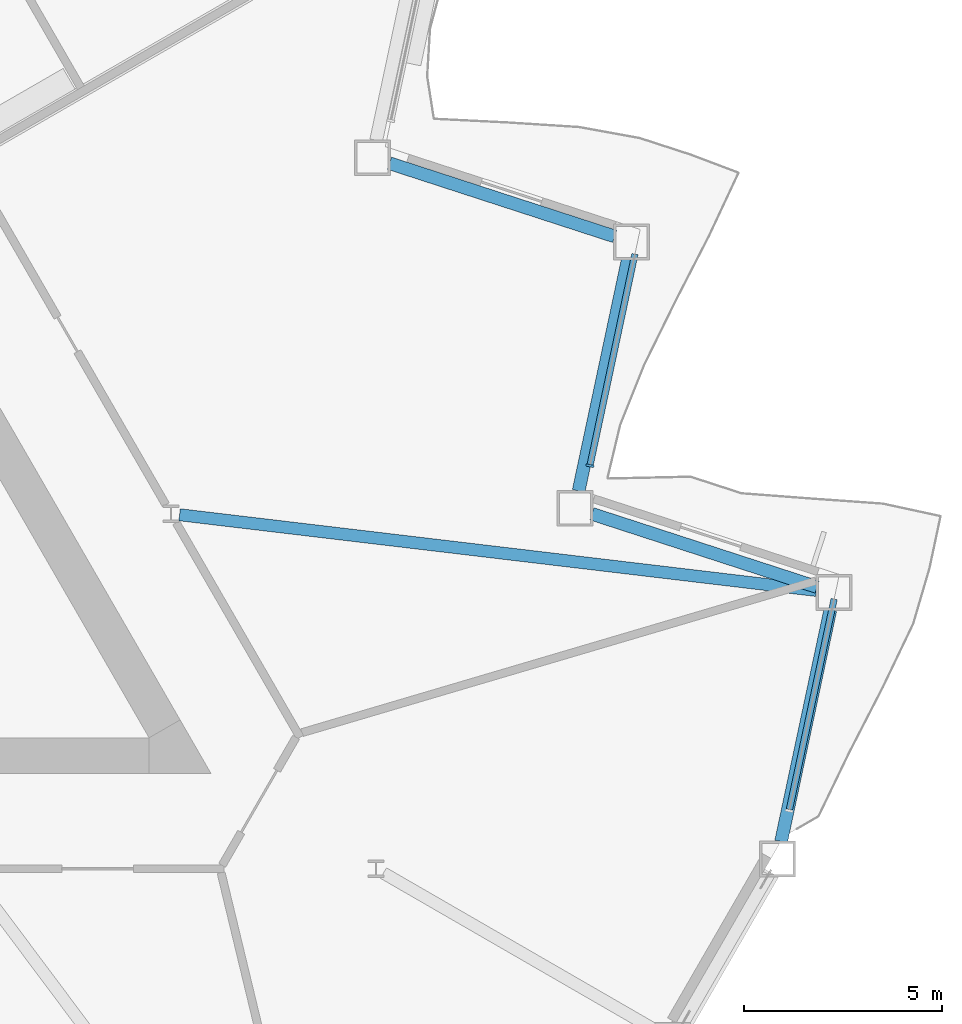
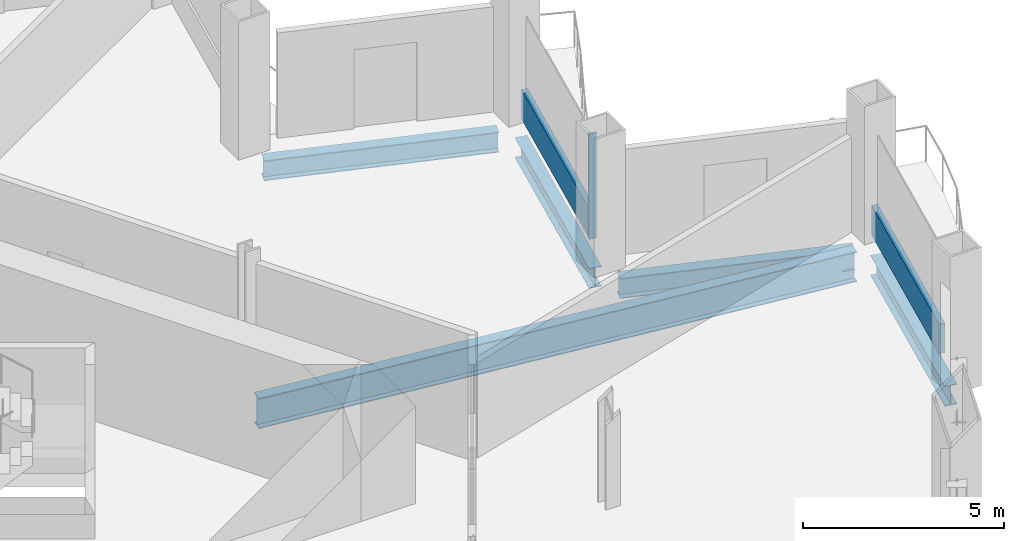
# One storey, part 6 of 21: 5 beams, 3 members, 2 elements without a shape of their own.
"""IFC4 building model written with IfcOpenShell, lengths in metres."""

from ifc_helpers import new_model, si_unit, direction, frame, origin, origin_2d, place, context, subcontext, project, spatial, rectangle, i_section, extrude, material, layer, layer_set, material_profile, profile_set, type_object, element, aggregate, save


model = new_model("IFC4")

# Units and contexts
model_context = context("Model", 3, precision=1e-05, world=origin(), true_north=direction((0.0, 1.0)))
body_context = subcontext(model_context, "Body", "Model", "MODEL_VIEW")
ifc_project = project(units=[si_unit("LENGTHUNIT", "METRE"), si_unit("AREAUNIT", "SQUARE_METRE"), si_unit("VOLUMEUNIT", "CUBIC_METRE"), si_unit("PLANEANGLEUNIT", "RADIAN"), si_unit("MASSUNIT", "GRAM", prefix="KILO")], contexts=[model_context])

# Site, building, storey
site_placement = place(None, origin())
site = spatial("IfcSite", under=ifc_project, at=site_placement, CompositionType="ELEMENT")
building_placement = place(site_placement, origin())
building = spatial("IfcBuilding", under=site, at=building_placement, Name="Cormorant Prow Tower", CompositionType="ELEMENT")
storey_placement = place(building_placement, frame((0.0, 0.0, 116.39990234375)))
storey = spatial("IfcBuildingStorey", under=building, at=storey_placement, Name="L24", CompositionType="ELEMENT", Elevation=116.39990234375)

# Curtain wall, member
ifc_material_1 = material(Name="Aluminium 6063-T6", Category="aluminium")
ifc_layer = layer(ifc_material_1, 0.199951171875)
ifc_layer_set = layer_set([ifc_layer], Name="Aluminium 6063-T6")
curtain_wall_type = type_object("IfcCurtainWallType", Name="Office unitised curtain wall 200", PredefinedType="NOTDEFINED", material=ifc_layer_set)
curtain_wall_1_placement = place(storey_placement, origin())
curtain_wall_1 = element("IfcCurtainWall", 1, at=curtain_wall_1_placement, inside=storey, type_object=curtain_wall_type, Name="Office curtain wall ENE02", PredefinedType="NOTDEFINED")
ifc_material_2 = material(Name="Aluminium 6063-T6", Category="aluminium")
ifc_material_profile_1 = material_profile(ifc_material_2, rectangle(XDim=0.199951171875, YDim=0.06005859375, at=origin_2d()), Name="Office mullion 60x200")
ifc_profile_set_1 = profile_set([ifc_material_profile_1], Name="Aluminium 6063-T6")
member_type_1 = type_object("IfcMemberType", Name="Office mullion 60x200", PredefinedType="MULLION", material=ifc_profile_set_1)
member_1_placement = place(storey_placement, frame((26.04736328125, -1.77294921875, 0.0), z_axis=(0.0, 0.0, 1.0), x_axis=(-0.978147610002, 0.207911647216, 0.0)))
member_1 = element("IfcMember", 2, at=member_1_placement, type_object=member_type_1, Name="Office mullion ENE02", PredefinedType="MULLION", context=body_context, shape_type="SweptSolid", body=[
    extrude(rectangle(XDim=0.199951171875, YDim=0.06005859375, at=origin_2d()), origin(), (0.0, 0.0, 1.0), 3.18896484375),
])

curtain_wall_2_placement = place(storey_placement, origin())
curtain_wall_2 = element("IfcCurtainWall", 3, at=curtain_wall_2_placement, inside=storey, type_object=curtain_wall_type, Name="Office curtain wall ENE00", PredefinedType="NOTDEFINED")
ifc_material_3 = material(Name="Terracotta", Category="masonry")
ifc_material_profile_2 = material_profile(ifc_material_3, rectangle(XDim=0.159912109375, YDim=0.89990234375, at=origin_2d()), Name="Office terracotta spandrel rail 160x900")
ifc_profile_set_2 = profile_set([ifc_material_profile_2], Name="Terracotta")
member_type_2 = type_object("IfcMemberType", Name="Office terracotta spandrel rail 160x900", PredefinedType="USERDEFINED", material=ifc_profile_set_2)
member_2_placement = place(storey_placement, frame((31.071533203125, -10.435302734375, 0.4501953125), z_axis=(0.207907775763, 0.978148432896, 0.0), x_axis=(-0.978148432896, 0.207907775763, 0.0)))
member_2 = element("IfcMember", 4, at=member_2_placement, type_object=member_type_2, Name="Office spandrel rail ENE00", ObjectType="TRANSOM", PredefinedType="USERDEFINED", context=body_context, shape_type="SweptSolid", body=[
    extrude(rectangle(XDim=0.159912109375, YDim=0.89990234375, at=origin_2d()), origin(), (0.0, 0.0, 1.0), 5.42041015625),
])
aggregate(curtain_wall_2, [member_2])

# Member
member_3_placement = place(storey_placement, frame((26.053466796875, -1.74365234375, 0.4501953125), z_axis=(0.207907775763, 0.978148432896, 0.0), x_axis=(-0.978148432896, 0.207907775763, 0.0)))
member_3 = element("IfcMember", 5, at=member_3_placement, type_object=member_type_2, Name="Office spandrel rail ENE02", ObjectType="TRANSOM", PredefinedType="USERDEFINED", context=body_context, shape_type="SweptSolid", body=[
    extrude(rectangle(XDim=0.159912109375, YDim=0.89990234375, at=origin_2d()), origin(), (0.0, 0.0, 1.0), 5.42041015625),
])

aggregate(curtain_wall_1, [member_1, member_3])

# Beams
ifc_material_4 = material(Name="Structural steel ASTM A992 Gr 50", Category="steel")
ifc_material_profile_3 = material_profile(ifc_material_4, i_section(OverallWidth=0.3046875, OverallDepth=0.914794921875, WebThickness=0.0166015625, FlangeThickness=0.02587890625, at=origin_2d()), Name="W36x160")
ifc_profile_set_3 = profile_set([ifc_material_profile_3], Name="Structural steel ASTM A992 Gr 50")
beam_type_1 = type_object("IfcBeamType", Name="Radial floor beam W36x160", PredefinedType="BEAM", material=ifc_profile_set_3)
beam_1_placement = place(storey_placement, frame((15.70849609375, -3.00732421875, -0.857177734375), z_axis=(0.993009167646, -0.118037252474, 0.0), x_axis=(0.118037252474, 0.993009167646, 0.0)))
element("IfcBeam", 6, at=beam_1_placement, inside=storey, type_object=beam_type_1, Name="Radial floor beam FB1 10 L24", PredefinedType="BEAM", context=body_context, shape_type="SweptSolid", body=[
    extrude(i_section(OverallWidth=0.3046875, OverallDepth=0.914794921875, WebThickness=0.0166015625, FlangeThickness=0.02587890625, at=origin_2d()), origin(), (0.0, 0.0, 1.0), 16.15380859375),
])
ifc_material_5 = material(Name="Structural steel ASTM A992 Gr 50", Category="steel")
ifc_material_profile_4 = material_profile(ifc_material_5, i_section(OverallWidth=0.32373046875, OverallDepth=0.611083984375, WebThickness=0.0126953125, FlangeThickness=0.01904296875, at=origin_2d()), Name="W24x104")
ifc_profile_set_4 = profile_set([ifc_material_profile_4], Name="Structural steel ASTM A992 Gr 50")
beam_type_2 = type_object("IfcBeamType", Name="Spandrel beam W24x104", PredefinedType="SPANDREL", material=ifc_profile_set_4)
beam_2_placement = place(storey_placement, frame((30.86279296875, -11.23974609375, -0.70556640625), z_axis=(0.207912620873, 0.978147403044, 0.0), x_axis=(-0.978147403044, 0.207912620873, 0.0)))
element("IfcBeam", 7, at=beam_2_placement, inside=storey, type_object=beam_type_2, Name="Spandrel beam SB1 ENE00-ENE01 L24", PredefinedType="SPANDREL", context=body_context, shape_type="SweptSolid", body=[
    extrude(i_section(OverallWidth=0.32373046875, OverallDepth=0.611083984375, WebThickness=0.0126953125, FlangeThickness=0.01904296875, at=origin_2d()), origin(), (0.0, 0.0, 1.0), 5.962890625),
])
for number, where, z_axis, x_axis, name in (
    (8, (31.768310546875, -4.828125, -0.70556640625), (-0.951059340519, 0.309008302174, 0.0), (-0.309008302174, -0.951059340519, 0.0), "Spandrel beam SB1 ENE01-ENE02 L24"),
    (9, (25.762939453125, -2.40625, -0.70556640625), (0.207920947907, 0.978145633033, 0.0), (-0.978145633033, 0.207920947907, 0.0), "Spandrel beam SB1 ENE02-ENE03 L24"),
):
    element("IfcBeam", number, at=place(storey_placement, frame(where, z_axis=z_axis, x_axis=x_axis)), inside=storey, type_object=beam_type_2, Name=name, PredefinedType="SPANDREL", context=body_context, shape_type="SweptSolid", body=[
        extrude(i_section(OverallWidth=0.32373046875, OverallDepth=0.611083984375, WebThickness=0.0126953125, FlangeThickness=0.01904296875, at=origin_2d()), origin(), (0.0, 0.0, 1.0), 5.962646484375),
    ])
beam_3_placement = place(storey_placement, frame((26.668212890625, 4.00537109375, -0.70556640625), z_axis=(-0.951055430656, 0.309020335608, 0.0), x_axis=(-0.309020335608, -0.951055430656, 0.0)))
element("IfcBeam", 10, at=beam_3_placement, inside=storey, type_object=beam_type_2, Name="Spandrel beam SB1 ENE03-ENE04 L24", PredefinedType="SPANDREL", context=body_context, shape_type="SweptSolid", body=[
    extrude(i_section(OverallWidth=0.32373046875, OverallDepth=0.611083984375, WebThickness=0.0126953125, FlangeThickness=0.01904296875, at=origin_2d()), origin(), (0.0, 0.0, 1.0), 5.96240234375),
])

save(model, "model.ifc")
